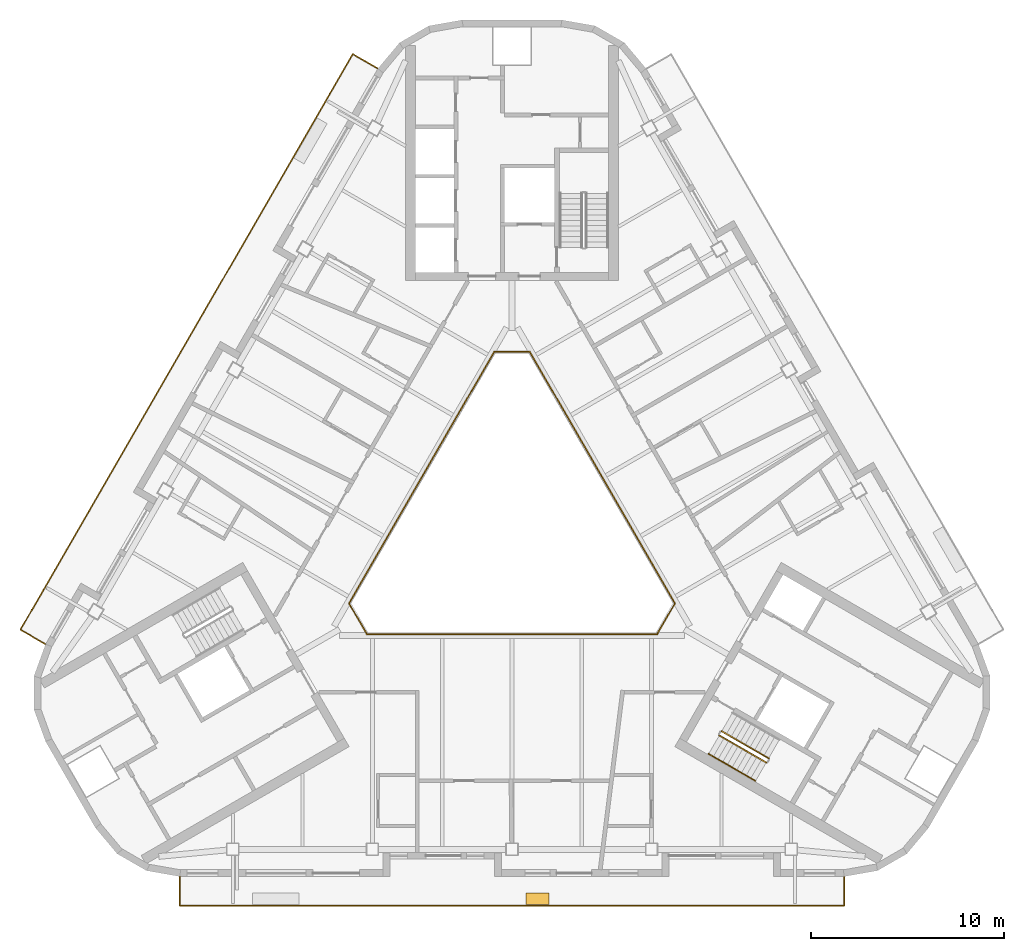
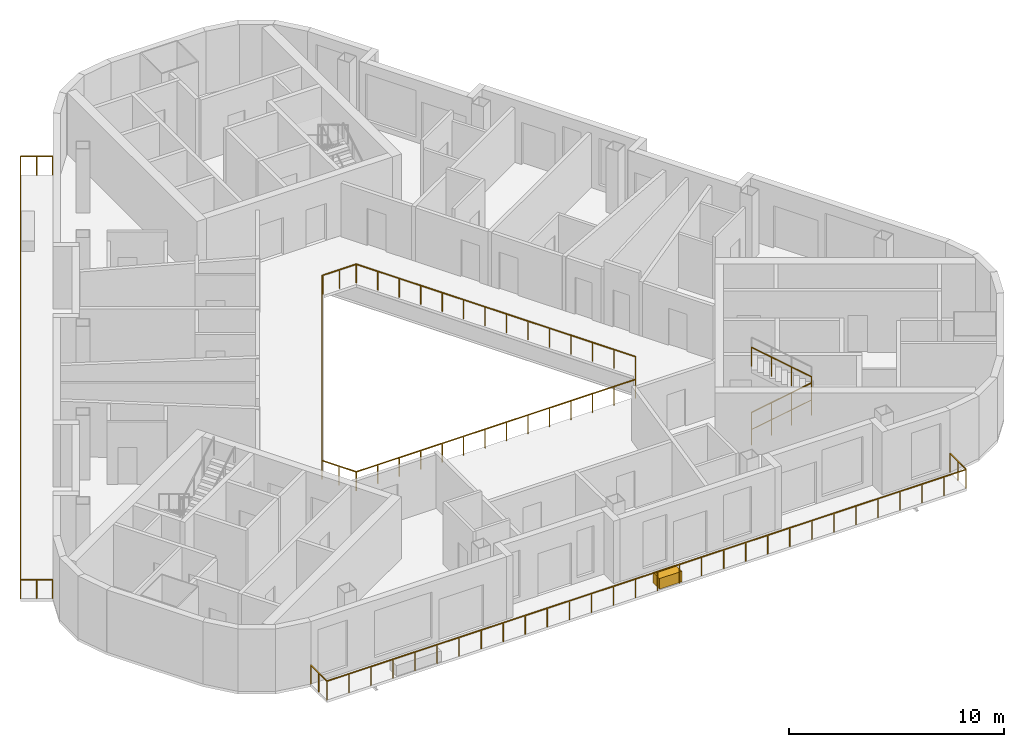
# One storey, part 10 of 13: 7 railings, 1 covering.
"""IFC4 building model written with IfcOpenShell, lengths in metres."""

from ifc_helpers import new_model, si_unit, direction, frame, origin, origin_2d, place, context, subcontext, project, spatial, rectangle, circle, extrude, material, type_object, element, save


model = new_model("IFC4")

# Units and contexts
model_context = context("Model", 3, precision=1e-05, world=origin(), true_north=direction((0.0, 1.0)))
body_context = subcontext(model_context, "Body", "Model", "MODEL_VIEW")
ifc_project = project(units=[si_unit("LENGTHUNIT", "METRE"), si_unit("AREAUNIT", "SQUARE_METRE"), si_unit("VOLUMEUNIT", "CUBIC_METRE"), si_unit("PLANEANGLEUNIT", "RADIAN"), si_unit("MASSUNIT", "GRAM", prefix="KILO")], contexts=[model_context])

# Site, building, storey
site_placement = place(None, origin())
site = spatial("IfcSite", under=ifc_project, at=site_placement, CompositionType="ELEMENT")
building_placement = place(site_placement, origin())
building = spatial("IfcBuilding", under=site, at=building_placement, Name="Apuvela Tower Hotel", CompositionType="ELEMENT")
storey_placement = place(building_placement, frame((0.0, 0.0, 283.699951171875)))
storey = spatial("IfcBuildingStorey", under=building, at=storey_placement, Name="L70", CompositionType="ELEMENT", Elevation=283.699951171875)

# Railings
ifc_material_1 = material(Name="Steel S275 balustrade", Category="steel")
railing_type_1 = type_object("IfcRailingType", Name="COR-GUARD-1100", PredefinedType="GUARDRAIL", material=ifc_material_1)
railing_1_placement = place(storey_placement, frame((10.718994140625, -10.63427734375, 0.168212890625)))
element("IfcRailing", 1, at=railing_1_placement, inside=storey, type_object=railing_type_1, Name="L70 ST3 stair guard 1", PredefinedType="GUARDRAIL", context=body_context, shape_type="SweptSolid", body=[
    extrude(rectangle(XDim=0.048095703125, YDim=0.048095703125, at=origin_2d()), frame((0.0, 0.0, 1.076171875), z_axis=(0.742390482028, -0.42860119049, 0.514934356695), x_axis=(0.49998411664, 0.866034573852, 0.0)), (0.0, 0.0, 1.0), 3.26611328125),
    extrude(rectangle(XDim=0.0419921875, YDim=0.0419921875, at=origin_2d()), origin(), (0.0, 0.0, 1.0), 1.052001953125),
    extrude(rectangle(XDim=0.0419921875, YDim=0.0419921875, at=origin_2d()), frame((0.808349609375, -0.466552734375, 0.560546875)), (0.0, 0.0, 1.0), 1.052001953125),
    extrude(rectangle(XDim=0.0419921875, YDim=0.0419921875, at=origin_2d()), frame((1.616455078125, -0.933349609375, 1.121337890625)), (0.0, 0.0, 1.0), 1.052001953125),
    extrude(rectangle(XDim=0.0419921875, YDim=0.0419921875, at=origin_2d()), frame((2.4248046875, -1.39990234375, 1.681884765625)), (0.0, 0.0, 1.0), 1.052001953125),
])
railing_2_placement = place(storey_placement, frame((13.268798828125, -11.817626953125, 2.018310546875)))
element("IfcRailing", 2, at=railing_2_placement, inside=storey, type_object=railing_type_1, Name="L70 ST3 stair guard 3", PredefinedType="GUARDRAIL", context=body_context, shape_type="SweptSolid", body=[
    extrude(rectangle(XDim=0.048095703125, YDim=0.048095703125, at=origin_2d()), frame((0.0, 0.0, 1.076171875), z_axis=(-0.74241905619, 0.428617687091, 0.514879426), x_axis=(-0.49998411664, -0.866034573852, 0.0)), (0.0, 0.0, 1.0), 3.26611328125),
    extrude(rectangle(XDim=0.0419921875, YDim=0.0419921875, at=origin_2d()), origin(), (0.0, 0.0, 1.0), 1.052001953125),
    extrude(rectangle(XDim=0.0419921875, YDim=0.0419921875, at=origin_2d()), frame((-0.808349609375, 0.466552734375, 0.560546875)), (0.0, 0.0, 1.0), 1.052001953125),
    extrude(rectangle(XDim=0.0419921875, YDim=0.0419921875, at=origin_2d()), frame((-1.616455078125, 0.933349609375, 1.12109375)), (0.0, 0.0, 1.0), 1.052001953125),
    extrude(rectangle(XDim=0.0419921875, YDim=0.0419921875, at=origin_2d()), frame((-2.4248046875, 1.39990234375, 1.681640625)), (0.0, 0.0, 1.0), 1.052001953125),
])
ifc_material_2 = material(Name="Stainless steel 316 handrail", Category="steel")
railing_type_2 = type_object("IfcRailingType", Name="COR-HANDRAIL-900", PredefinedType="HANDRAIL", material=ifc_material_2)
railing_3_placement = place(storey_placement, frame((10.1689453125, -11.5869140625, 0.168212890625)))
element("IfcRailing", 3, at=railing_3_placement, inside=storey, type_object=railing_type_2, Name="L70 ST3 stair handrail 1", PredefinedType="HANDRAIL", context=body_context, shape_type="SweptSolid", body=[
    extrude(circle(Radius=0.02392578125, at=origin_2d()), frame((0.0, 0.0, 0.8759765625), z_axis=(0.742390482028, -0.42860119049, 0.514934356695), x_axis=(0.49998411664, 0.866034573852, 0.0)), (0.0, 0.0, 1.0), 3.26611328125),
    extrude(rectangle(XDim=0.0419921875, YDim=0.0419921875, at=origin_2d()), origin(), (0.0, 0.0, 1.0), 0.851806640625),
    extrude(rectangle(XDim=0.0419921875, YDim=0.0419921875, at=origin_2d()), frame((0.808349609375, -0.466552734375, 0.560546875)), (0.0, 0.0, 1.0), 0.851806640625),
    extrude(rectangle(XDim=0.0419921875, YDim=0.0419921875, at=origin_2d()), frame((1.616455078125, -0.933349609375, 1.121337890625)), (0.0, 0.0, 1.0), 0.851806640625),
    extrude(rectangle(XDim=0.0419921875, YDim=0.0419921875, at=origin_2d()), frame((2.4248046875, -1.39990234375, 1.681884765625)), (0.0, 0.0, 1.0), 0.851806640625),
])
ifc_material_3 = material(Name="Stainless steel 316 rail with laminated glass infill", Category="steel")
railing_type_3 = type_object("IfcRailingType", Name="ENV-GUARD-1100", PredefinedType="GUARDRAIL", material=ifc_material_3)
railing_4_placement = place(storey_placement, frame((-17.18505859375, -17.9287109375, 0.0)))
element("IfcRailing", 4, at=railing_4_placement, inside=storey, type_object=railing_type_3, Name="Balcony guard S L70", PredefinedType="GUARDRAIL", context=body_context, shape_type="SweptSolid", body=[
    extrude(rectangle(XDim=0.050048828125, YDim=0.050048828125, at=origin_2d()), frame((0.0, 0.0, 1.0751953125), z_axis=(0.0, -1.0, 0.0), x_axis=(1.0, 0.0, 0.0)), (0.0, 0.0, 1.0), 1.5),
    extrude(rectangle(XDim=0.050048828125, YDim=0.050048828125, at=origin_2d()), frame((0.0, -1.5, 1.0751953125), z_axis=(1.0, 0.0, 0.0), x_axis=(0.0, 1.0, 0.0)), (0.0, 0.0, 1.0), 34.3701171875),
    extrude(rectangle(XDim=0.050048828125, YDim=0.050048828125, at=origin_2d()), frame((34.3701171875, -1.5, 1.0751953125), z_axis=(0.0, 1.0, 0.0), x_axis=(-1.0, 0.0, 0.0)), (0.0, 0.0, 1.0), 1.5),
    extrude(rectangle(XDim=0.0400390625, YDim=0.0400390625, at=origin_2d()), origin(), (0.0, 0.0, 1.0), 1.050048828125),
    extrude(rectangle(XDim=0.0400390625, YDim=0.0400390625, at=origin_2d()), frame((0.0, -0.75, 0.0)), (0.0, 0.0, 1.0), 1.050048828125),
    extrude(rectangle(XDim=0.0400390625, YDim=0.0400390625, at=origin_2d()), frame((0.0, -1.5, 0.0)), (0.0, 0.0, 1.0), 1.050048828125),
    extrude(rectangle(XDim=0.0400390625, YDim=0.0400390625, at=origin_2d()), frame((1.18505859375, -1.5, 0.0)), (0.0, 0.0, 1.0), 1.050048828125),
    extrude(rectangle(XDim=0.0400390625, YDim=0.0400390625, at=origin_2d()), frame((2.370361328125, -1.5, 0.0)), (0.0, 0.0, 1.0), 1.050048828125),
    extrude(rectangle(XDim=0.0400390625, YDim=0.0400390625, at=origin_2d()), frame((3.555419921875, -1.5, 0.0)), (0.0, 0.0, 1.0), 1.050048828125),
    extrude(rectangle(XDim=0.0400390625, YDim=0.0400390625, at=origin_2d()), frame((4.74072265625, -1.5, 0.0)), (0.0, 0.0, 1.0), 1.050048828125),
    extrude(rectangle(XDim=0.0400390625, YDim=0.0400390625, at=origin_2d()), frame((5.92578125, -1.5, 0.0)), (0.0, 0.0, 1.0), 1.050048828125),
    extrude(rectangle(XDim=0.0400390625, YDim=0.0400390625, at=origin_2d()), frame((7.111083984375, -1.5, 0.0)), (0.0, 0.0, 1.0), 1.050048828125),
    extrude(rectangle(XDim=0.0400390625, YDim=0.0400390625, at=origin_2d()), frame((8.296142578125, -1.5, 0.0)), (0.0, 0.0, 1.0), 1.050048828125),
    extrude(rectangle(XDim=0.0400390625, YDim=0.0400390625, at=origin_2d()), frame((9.4814453125, -1.5, 0.0)), (0.0, 0.0, 1.0), 1.050048828125),
    extrude(rectangle(XDim=0.0400390625, YDim=0.0400390625, at=origin_2d()), frame((10.66650390625, -1.5, 0.0)), (0.0, 0.0, 1.0), 1.050048828125),
    extrude(rectangle(XDim=0.0400390625, YDim=0.0400390625, at=origin_2d()), frame((11.851806640625, -1.5, 0.0)), (0.0, 0.0, 1.0), 1.050048828125),
    extrude(rectangle(XDim=0.0400390625, YDim=0.0400390625, at=origin_2d()), frame((13.036865234375, -1.5, 0.0)), (0.0, 0.0, 1.0), 1.050048828125),
    extrude(rectangle(XDim=0.0400390625, YDim=0.0400390625, at=origin_2d()), frame((14.22216796875, -1.5, 0.0)), (0.0, 0.0, 1.0), 1.050048828125),
    extrude(rectangle(XDim=0.0400390625, YDim=0.0400390625, at=origin_2d()), frame((15.4072265625, -1.5, 0.0)), (0.0, 0.0, 1.0), 1.050048828125),
    extrude(rectangle(XDim=0.0400390625, YDim=0.0400390625, at=origin_2d()), frame((16.592529296875, -1.5, 0.0)), (0.0, 0.0, 1.0), 1.050048828125),
    extrude(rectangle(XDim=0.0400390625, YDim=0.0400390625, at=origin_2d()), frame((17.777587890625, -1.5, 0.0)), (0.0, 0.0, 1.0), 1.050048828125),
    extrude(rectangle(XDim=0.0400390625, YDim=0.0400390625, at=origin_2d()), frame((18.962890625, -1.5, 0.0)), (0.0, 0.0, 1.0), 1.050048828125),
    extrude(rectangle(XDim=0.0400390625, YDim=0.0400390625, at=origin_2d()), frame((20.14794921875, -1.5, 0.0)), (0.0, 0.0, 1.0), 1.050048828125),
    extrude(rectangle(XDim=0.0400390625, YDim=0.0400390625, at=origin_2d()), frame((21.333251953125, -1.5, 0.0)), (0.0, 0.0, 1.0), 1.050048828125),
    extrude(rectangle(XDim=0.0400390625, YDim=0.0400390625, at=origin_2d()), frame((22.518310546875, -1.5, 0.0)), (0.0, 0.0, 1.0), 1.050048828125),
    extrude(rectangle(XDim=0.0400390625, YDim=0.0400390625, at=origin_2d()), frame((23.70361328125, -1.5, 0.0)), (0.0, 0.0, 1.0), 1.050048828125),
    extrude(rectangle(XDim=0.0400390625, YDim=0.0400390625, at=origin_2d()), frame((24.888671875, -1.5, 0.0)), (0.0, 0.0, 1.0), 1.050048828125),
    extrude(rectangle(XDim=0.0400390625, YDim=0.0400390625, at=origin_2d()), frame((26.073974609375, -1.5, 0.0)), (0.0, 0.0, 1.0), 1.050048828125),
    extrude(rectangle(XDim=0.0400390625, YDim=0.0400390625, at=origin_2d()), frame((27.259033203125, -1.5, 0.0)), (0.0, 0.0, 1.0), 1.050048828125),
    extrude(rectangle(XDim=0.0400390625, YDim=0.0400390625, at=origin_2d()), frame((28.4443359375, -1.5, 0.0)), (0.0, 0.0, 1.0), 1.050048828125),
    extrude(rectangle(XDim=0.0400390625, YDim=0.0400390625, at=origin_2d()), frame((29.62939453125, -1.5, 0.0)), (0.0, 0.0, 1.0), 1.050048828125),
    extrude(rectangle(XDim=0.0400390625, YDim=0.0400390625, at=origin_2d()), frame((30.814697265625, -1.5, 0.0)), (0.0, 0.0, 1.0), 1.050048828125),
    extrude(rectangle(XDim=0.0400390625, YDim=0.0400390625, at=origin_2d()), frame((31.999755859375, -1.5, 0.0)), (0.0, 0.0, 1.0), 1.050048828125),
    extrude(rectangle(XDim=0.0400390625, YDim=0.0400390625, at=origin_2d()), frame((33.18505859375, -1.5, 0.0)), (0.0, 0.0, 1.0), 1.050048828125),
    extrude(rectangle(XDim=0.0400390625, YDim=0.0400390625, at=origin_2d()), frame((34.3701171875, -1.5, 0.0)), (0.0, 0.0, 1.0), 1.050048828125),
    extrude(rectangle(XDim=0.0400390625, YDim=0.0400390625, at=origin_2d()), frame((34.3701171875, -0.75, 0.0)), (0.0, 0.0, 1.0), 1.050048828125),
    extrude(rectangle(XDim=0.0400390625, YDim=0.0400390625, at=origin_2d()), frame((34.3701171875, 0.0, 0.0)), (0.0, 0.0, 1.0), 1.050048828125),
])
railing_5_placement = place(storey_placement, frame((-6.93408203125, 23.84716796875, 0.0)))
element("IfcRailing", 5, at=railing_5_placement, inside=storey, type_object=railing_type_3, Name="Balcony guard NW L70", PredefinedType="GUARDRAIL", context=body_context, shape_type="SweptSolid", body=[
    extrude(rectangle(XDim=0.050048828125, YDim=0.050048828125, at=origin_2d()), frame((0.0, 0.0, 1.0751953125), z_axis=(-0.866031096941, 0.499990139034, 0.0), x_axis=(-0.499990139034, -0.866031096941, 0.0)), (0.0, 0.0, 1.0), 1.5),
    extrude(rectangle(XDim=0.050048828125, YDim=0.050048828125, at=origin_2d()), frame((-1.299072265625, 0.75, 1.0751953125), z_axis=(-0.499997097509, -0.866027079532, 0.0), x_axis=(0.866027079532, -0.499997097509, 0.0)), (0.0, 0.0, 1.0), 34.370361328125),
    extrude(rectangle(XDim=0.050048828125, YDim=0.050048828125, at=origin_2d()), frame((-18.484130859375, -29.015625, 1.0751953125), z_axis=(0.86599040064, -0.500060622324, 0.0), x_axis=(0.500060622324, 0.86599040064, 0.0)), (0.0, 0.0, 1.0), 1.499755859375),
    extrude(rectangle(XDim=0.0400390625, YDim=0.0400390625, at=origin_2d()), origin(), (0.0, 0.0, 1.0), 1.050048828125),
    extrude(rectangle(XDim=0.0400390625, YDim=0.0400390625, at=origin_2d()), frame((-0.6494140625, 0.375, 0.0)), (0.0, 0.0, 1.0), 1.050048828125),
    extrude(rectangle(XDim=0.0400390625, YDim=0.0400390625, at=origin_2d()), frame((-1.299072265625, 0.75, 0.0)), (0.0, 0.0, 1.0), 1.050048828125),
    extrude(rectangle(XDim=0.0400390625, YDim=0.0400390625, at=origin_2d()), frame((-1.8916015625, -0.2763671875, 0.0)), (0.0, 0.0, 1.0), 1.050048828125),
    extrude(rectangle(XDim=0.0400390625, YDim=0.0400390625, at=origin_2d()), frame((-2.484130859375, -1.302734375, 0.0)), (0.0, 0.0, 1.0), 1.050048828125),
    extrude(rectangle(XDim=0.0400390625, YDim=0.0400390625, at=origin_2d()), frame((-3.076904296875, -2.3291015625, 0.0)), (0.0, 0.0, 1.0), 1.050048828125),
    extrude(rectangle(XDim=0.0400390625, YDim=0.0400390625, at=origin_2d()), frame((-3.66943359375, -3.355712890625, 0.0)), (0.0, 0.0, 1.0), 1.050048828125),
    extrude(rectangle(XDim=0.0400390625, YDim=0.0400390625, at=origin_2d()), frame((-4.261962890625, -4.382080078125, 0.0)), (0.0, 0.0, 1.0), 1.050048828125),
    extrude(rectangle(XDim=0.0400390625, YDim=0.0400390625, at=origin_2d()), frame((-4.8544921875, -5.408447265625, 0.0)), (0.0, 0.0, 1.0), 1.050048828125),
    extrude(rectangle(XDim=0.0400390625, YDim=0.0400390625, at=origin_2d()), frame((-5.447265625, -6.434814453125, 0.0)), (0.0, 0.0, 1.0), 1.050048828125),
    extrude(rectangle(XDim=0.0400390625, YDim=0.0400390625, at=origin_2d()), frame((-6.039794921875, -7.461181640625, 0.0)), (0.0, 0.0, 1.0), 1.050048828125),
    extrude(rectangle(XDim=0.0400390625, YDim=0.0400390625, at=origin_2d()), frame((-6.63232421875, -8.487548828125, 0.0)), (0.0, 0.0, 1.0), 1.050048828125),
    extrude(rectangle(XDim=0.0400390625, YDim=0.0400390625, at=origin_2d()), frame((-7.224853515625, -9.513916015625, 0.0)), (0.0, 0.0, 1.0), 1.050048828125),
    extrude(rectangle(XDim=0.0400390625, YDim=0.0400390625, at=origin_2d()), frame((-7.817626953125, -10.54052734375, 0.0)), (0.0, 0.0, 1.0), 1.050048828125),
    extrude(rectangle(XDim=0.0400390625, YDim=0.0400390625, at=origin_2d()), frame((-8.41015625, -11.56689453125, 0.0)), (0.0, 0.0, 1.0), 1.050048828125),
    extrude(rectangle(XDim=0.0400390625, YDim=0.0400390625, at=origin_2d()), frame((-9.002685546875, -12.59326171875, 0.0)), (0.0, 0.0, 1.0), 1.050048828125),
    extrude(rectangle(XDim=0.0400390625, YDim=0.0400390625, at=origin_2d()), frame((-9.59521484375, -13.61962890625, 0.0)), (0.0, 0.0, 1.0), 1.050048828125),
    extrude(rectangle(XDim=0.0400390625, YDim=0.0400390625, at=origin_2d()), frame((-10.18798828125, -14.64599609375, 0.0)), (0.0, 0.0, 1.0), 1.050048828125),
    extrude(rectangle(XDim=0.0400390625, YDim=0.0400390625, at=origin_2d()), frame((-10.780517578125, -15.67236328125, 0.0)), (0.0, 0.0, 1.0), 1.050048828125),
    extrude(rectangle(XDim=0.0400390625, YDim=0.0400390625, at=origin_2d()), frame((-11.373046875, -16.69873046875, 0.0)), (0.0, 0.0, 1.0), 1.050048828125),
    extrude(rectangle(XDim=0.0400390625, YDim=0.0400390625, at=origin_2d()), frame((-11.965576171875, -17.72509765625, 0.0)), (0.0, 0.0, 1.0), 1.050048828125),
    extrude(rectangle(XDim=0.0400390625, YDim=0.0400390625, at=origin_2d()), frame((-12.558349609375, -18.751708984375, 0.0)), (0.0, 0.0, 1.0), 1.050048828125),
    extrude(rectangle(XDim=0.0400390625, YDim=0.0400390625, at=origin_2d()), frame((-13.15087890625, -19.778076171875, 0.0)), (0.0, 0.0, 1.0), 1.050048828125),
    extrude(rectangle(XDim=0.0400390625, YDim=0.0400390625, at=origin_2d()), frame((-13.743408203125, -20.804443359375, 0.0)), (0.0, 0.0, 1.0), 1.050048828125),
    extrude(rectangle(XDim=0.0400390625, YDim=0.0400390625, at=origin_2d()), frame((-14.3359375, -21.830810546875, 0.0)), (0.0, 0.0, 1.0), 1.050048828125),
    extrude(rectangle(XDim=0.0400390625, YDim=0.0400390625, at=origin_2d()), frame((-14.9287109375, -22.857177734375, 0.0)), (0.0, 0.0, 1.0), 1.050048828125),
    extrude(rectangle(XDim=0.0400390625, YDim=0.0400390625, at=origin_2d()), frame((-15.521240234375, -23.883544921875, 0.0)), (0.0, 0.0, 1.0), 1.050048828125),
    extrude(rectangle(XDim=0.0400390625, YDim=0.0400390625, at=origin_2d()), frame((-16.11376953125, -24.909912109375, 0.0)), (0.0, 0.0, 1.0), 1.050048828125),
    extrude(rectangle(XDim=0.0400390625, YDim=0.0400390625, at=origin_2d()), frame((-16.706298828125, -25.9365234375, 0.0)), (0.0, 0.0, 1.0), 1.050048828125),
    extrude(rectangle(XDim=0.0400390625, YDim=0.0400390625, at=origin_2d()), frame((-17.299072265625, -26.962890625, 0.0)), (0.0, 0.0, 1.0), 1.050048828125),
    extrude(rectangle(XDim=0.0400390625, YDim=0.0400390625, at=origin_2d()), frame((-17.8916015625, -27.9892578125, 0.0)), (0.0, 0.0, 1.0), 1.050048828125),
    extrude(rectangle(XDim=0.0400390625, YDim=0.0400390625, at=origin_2d()), frame((-18.484130859375, -29.015625, 0.0)), (0.0, 0.0, 1.0), 1.050048828125),
    extrude(rectangle(XDim=0.0400390625, YDim=0.0400390625, at=origin_2d()), frame((-17.834716796875, -29.390625, 0.0)), (0.0, 0.0, 1.0), 1.050048828125),
    extrude(rectangle(XDim=0.0400390625, YDim=0.0400390625, at=origin_2d()), frame((-17.185302734375, -29.765625, 0.0)), (0.0, 0.0, 1.0), 1.050048828125),
])
railing_6_placement = place(storey_placement, frame((-0.923828125, 9.199951171875, 0.0)))
element("IfcRailing", 6, at=railing_6_placement, inside=storey, type_object=railing_type_3, Name="Atrium void guard A L70", PredefinedType="GUARDRAIL", context=body_context, shape_type="SweptSolid", body=[
    extrude(rectangle(XDim=0.050048828125, YDim=0.050048828125, at=origin_2d()), frame((0.0, 0.0, 1.0751953125), z_axis=(-0.499990886379, -0.866030665472, 0.0), x_axis=(0.866030665472, -0.499990886379, 0.0)), (0.0, 0.0, 1.0), 15.010986328125),
    extrude(rectangle(XDim=0.050048828125, YDim=0.050048828125, at=origin_2d()), frame((-7.50537109375, -13.0, 1.0751953125), z_axis=(0.499962699187, -0.866046938348, 0.0), x_axis=(0.866046938348, 0.499962699187, 0.0)), (0.0, 0.0, 1.0), 1.847412109375),
    extrude(rectangle(XDim=0.050048828125, YDim=0.050048828125, at=origin_2d()), frame((-6.581787109375, -14.599853515625, 1.0751953125), z_axis=(1.0, 0.0, 0.0), x_axis=(0.0, 1.0, 0.0)), (0.0, 0.0, 1.0), 15.01123046875),
    extrude(rectangle(XDim=0.0400390625, YDim=0.0400390625, at=origin_2d()), origin(), (0.0, 0.0, 1.0), 1.050048828125),
    extrude(rectangle(XDim=0.0400390625, YDim=0.0400390625, at=origin_2d()), frame((-0.577392578125, -1.0, 0.0)), (0.0, 0.0, 1.0), 1.050048828125),
    extrude(rectangle(XDim=0.0400390625, YDim=0.0400390625, at=origin_2d()), frame((-1.15478515625, -2.0, 0.0)), (0.0, 0.0, 1.0), 1.050048828125),
    extrude(rectangle(XDim=0.0400390625, YDim=0.0400390625, at=origin_2d()), frame((-1.73193359375, -3.0, 0.0)), (0.0, 0.0, 1.0), 1.050048828125),
    extrude(rectangle(XDim=0.0400390625, YDim=0.0400390625, at=origin_2d()), frame((-2.309326171875, -4.0, 0.0)), (0.0, 0.0, 1.0), 1.050048828125),
    extrude(rectangle(XDim=0.0400390625, YDim=0.0400390625, at=origin_2d()), frame((-2.88671875, -5.0, 0.0)), (0.0, 0.0, 1.0), 1.050048828125),
    extrude(rectangle(XDim=0.0400390625, YDim=0.0400390625, at=origin_2d()), frame((-3.464111328125, -6.0, 0.0)), (0.0, 0.0, 1.0), 1.050048828125),
    extrude(rectangle(XDim=0.0400390625, YDim=0.0400390625, at=origin_2d()), frame((-4.041259765625, -7.0, 0.0)), (0.0, 0.0, 1.0), 1.050048828125),
    extrude(rectangle(XDim=0.0400390625, YDim=0.0400390625, at=origin_2d()), frame((-4.61865234375, -8.0, 0.0)), (0.0, 0.0, 1.0), 1.050048828125),
    extrude(rectangle(XDim=0.0400390625, YDim=0.0400390625, at=origin_2d()), frame((-5.196044921875, -9.0, 0.0)), (0.0, 0.0, 1.0), 1.050048828125),
    extrude(rectangle(XDim=0.0400390625, YDim=0.0400390625, at=origin_2d()), frame((-5.7734375, -10.0, 0.0)), (0.0, 0.0, 1.0), 1.050048828125),
    extrude(rectangle(XDim=0.0400390625, YDim=0.0400390625, at=origin_2d()), frame((-6.3505859375, -11.0, 0.0)), (0.0, 0.0, 1.0), 1.050048828125),
    extrude(rectangle(XDim=0.0400390625, YDim=0.0400390625, at=origin_2d()), frame((-6.927978515625, -12.0, 0.0)), (0.0, 0.0, 1.0), 1.050048828125),
    extrude(rectangle(XDim=0.0400390625, YDim=0.0400390625, at=origin_2d()), frame((-7.50537109375, -13.0, 0.0)), (0.0, 0.0, 1.0), 1.050048828125),
    extrude(rectangle(XDim=0.0400390625, YDim=0.0400390625, at=origin_2d()), frame((-7.04345703125, -13.7998046875, 0.0)), (0.0, 0.0, 1.0), 1.050048828125),
    extrude(rectangle(XDim=0.0400390625, YDim=0.0400390625, at=origin_2d()), frame((-6.581787109375, -14.599853515625, 0.0)), (0.0, 0.0, 1.0), 1.050048828125),
    extrude(rectangle(XDim=0.0400390625, YDim=0.0400390625, at=origin_2d()), frame((-5.427001953125, -14.599853515625, 0.0)), (0.0, 0.0, 1.0), 1.050048828125),
    extrude(rectangle(XDim=0.0400390625, YDim=0.0400390625, at=origin_2d()), frame((-4.2724609375, -14.599853515625, 0.0)), (0.0, 0.0, 1.0), 1.050048828125),
    extrude(rectangle(XDim=0.0400390625, YDim=0.0400390625, at=origin_2d()), frame((-3.11767578125, -14.599853515625, 0.0)), (0.0, 0.0, 1.0), 1.050048828125),
    extrude(rectangle(XDim=0.0400390625, YDim=0.0400390625, at=origin_2d()), frame((-1.962890625, -14.599853515625, 0.0)), (0.0, 0.0, 1.0), 1.050048828125),
    extrude(rectangle(XDim=0.0400390625, YDim=0.0400390625, at=origin_2d()), frame((-0.808349609375, -14.599853515625, 0.0)), (0.0, 0.0, 1.0), 1.050048828125),
    extrude(rectangle(XDim=0.0400390625, YDim=0.0400390625, at=origin_2d()), frame((0.346435546875, -14.599853515625, 0.0)), (0.0, 0.0, 1.0), 1.050048828125),
    extrude(rectangle(XDim=0.0400390625, YDim=0.0400390625, at=origin_2d()), frame((1.501220703125, -14.599853515625, 0.0)), (0.0, 0.0, 1.0), 1.050048828125),
    extrude(rectangle(XDim=0.0400390625, YDim=0.0400390625, at=origin_2d()), frame((2.656005859375, -14.599853515625, 0.0)), (0.0, 0.0, 1.0), 1.050048828125),
    extrude(rectangle(XDim=0.0400390625, YDim=0.0400390625, at=origin_2d()), frame((3.810546875, -14.599853515625, 0.0)), (0.0, 0.0, 1.0), 1.050048828125),
    extrude(rectangle(XDim=0.0400390625, YDim=0.0400390625, at=origin_2d()), frame((4.96533203125, -14.599853515625, 0.0)), (0.0, 0.0, 1.0), 1.050048828125),
    extrude(rectangle(XDim=0.0400390625, YDim=0.0400390625, at=origin_2d()), frame((6.1201171875, -14.599853515625, 0.0)), (0.0, 0.0, 1.0), 1.050048828125),
    extrude(rectangle(XDim=0.0400390625, YDim=0.0400390625, at=origin_2d()), frame((7.274658203125, -14.599853515625, 0.0)), (0.0, 0.0, 1.0), 1.050048828125),
    extrude(rectangle(XDim=0.0400390625, YDim=0.0400390625, at=origin_2d()), frame((8.429443359375, -14.599853515625, 0.0)), (0.0, 0.0, 1.0), 1.050048828125),
])
railing_7_placement = place(storey_placement, frame((7.53564453125, -5.347900390625, 0.0)))
element("IfcRailing", 7, at=railing_7_placement, inside=storey, type_object=railing_type_3, Name="Atrium void guard B L70", PredefinedType="GUARDRAIL", context=body_context, shape_type="SweptSolid", body=[
    extrude(rectangle(XDim=0.050048828125, YDim=0.050048828125, at=origin_2d()), frame((0.0, 0.0, 1.0751953125), z_axis=(0.499958946799, 0.866049104564, 0.0), x_axis=(-0.866049104564, 0.499958946799, 0.0)), (0.0, 0.0, 1.0), 1.787353515625),
    extrude(rectangle(XDim=0.050048828125, YDim=0.050048828125, at=origin_2d()), frame((0.8935546875, 1.5478515625, 1.0751953125), z_axis=(-0.499990886379, 0.866030665472, 0.0), x_axis=(-0.866030665472, -0.499990886379, 0.0)), (0.0, 0.0, 1.0), 15.010986328125),
    extrude(rectangle(XDim=0.050048828125, YDim=0.050048828125, at=origin_2d()), frame((-6.61181640625, 14.5478515625, 1.0751953125), z_axis=(-1.0, 0.0, 0.0), x_axis=(0.0, -1.0, 0.0)), (0.0, 0.0, 1.0), 1.78759765625),
    extrude(rectangle(XDim=0.0400390625, YDim=0.0400390625, at=origin_2d()), origin(), (0.0, 0.0, 1.0), 1.050048828125),
    extrude(rectangle(XDim=0.0400390625, YDim=0.0400390625, at=origin_2d()), frame((0.44677734375, 0.77392578125, 0.0)), (0.0, 0.0, 1.0), 1.050048828125),
    extrude(rectangle(XDim=0.0400390625, YDim=0.0400390625, at=origin_2d()), frame((0.8935546875, 1.5478515625, 0.0)), (0.0, 0.0, 1.0), 1.050048828125),
    extrude(rectangle(XDim=0.0400390625, YDim=0.0400390625, at=origin_2d()), frame((0.316162109375, 2.5478515625, 0.0)), (0.0, 0.0, 1.0), 1.050048828125),
    extrude(rectangle(XDim=0.0400390625, YDim=0.0400390625, at=origin_2d()), frame((-0.26123046875, 3.5478515625, 0.0)), (0.0, 0.0, 1.0), 1.050048828125),
    extrude(rectangle(XDim=0.0400390625, YDim=0.0400390625, at=origin_2d()), frame((-0.83837890625, 4.5478515625, 0.0)), (0.0, 0.0, 1.0), 1.050048828125),
    extrude(rectangle(XDim=0.0400390625, YDim=0.0400390625, at=origin_2d()), frame((-1.415771484375, 5.5478515625, 0.0)), (0.0, 0.0, 1.0), 1.050048828125),
    extrude(rectangle(XDim=0.0400390625, YDim=0.0400390625, at=origin_2d()), frame((-1.9931640625, 6.5478515625, 0.0)), (0.0, 0.0, 1.0), 1.050048828125),
    extrude(rectangle(XDim=0.0400390625, YDim=0.0400390625, at=origin_2d()), frame((-2.570556640625, 7.5478515625, 0.0)), (0.0, 0.0, 1.0), 1.050048828125),
    extrude(rectangle(XDim=0.0400390625, YDim=0.0400390625, at=origin_2d()), frame((-3.147705078125, 8.5478515625, 0.0)), (0.0, 0.0, 1.0), 1.050048828125),
    extrude(rectangle(XDim=0.0400390625, YDim=0.0400390625, at=origin_2d()), frame((-3.72509765625, 9.5478515625, 0.0)), (0.0, 0.0, 1.0), 1.050048828125),
    extrude(rectangle(XDim=0.0400390625, YDim=0.0400390625, at=origin_2d()), frame((-4.302490234375, 10.5478515625, 0.0)), (0.0, 0.0, 1.0), 1.050048828125),
    extrude(rectangle(XDim=0.0400390625, YDim=0.0400390625, at=origin_2d()), frame((-4.8798828125, 11.5478515625, 0.0)), (0.0, 0.0, 1.0), 1.050048828125),
    extrude(rectangle(XDim=0.0400390625, YDim=0.0400390625, at=origin_2d()), frame((-5.45703125, 12.5478515625, 0.0)), (0.0, 0.0, 1.0), 1.050048828125),
    extrude(rectangle(XDim=0.0400390625, YDim=0.0400390625, at=origin_2d()), frame((-6.034423828125, 13.5478515625, 0.0)), (0.0, 0.0, 1.0), 1.050048828125),
    extrude(rectangle(XDim=0.0400390625, YDim=0.0400390625, at=origin_2d()), frame((-6.61181640625, 14.5478515625, 0.0)), (0.0, 0.0, 1.0), 1.050048828125),
    extrude(rectangle(XDim=0.0400390625, YDim=0.0400390625, at=origin_2d()), frame((-7.505615234375, 14.5478515625, 0.0)), (0.0, 0.0, 1.0), 1.050048828125),
    extrude(rectangle(XDim=0.0400390625, YDim=0.0400390625, at=origin_2d()), frame((-8.3994140625, 14.5478515625, 0.0)), (0.0, 0.0, 1.0), 1.050048828125),
])

# Covering
ifc_material_4 = material(Name="Planting substrate and soil, planted")
covering_type = type_object("IfcCoveringType", Name="ENV-PLANTER-1200x600", PredefinedType="USERDEFINED", material=ifc_material_4)
covering_placement = place(storey_placement, frame((1.3251953125, -19.07861328125, 0.0), z_axis=(0.0, 0.0, 1.0), x_axis=(1.0, 0.0, 0.0)))
element("IfcCovering", 8, at=covering_placement, inside=storey, type_object=covering_type, Name="Planter S2", ObjectType="PLANTER", PredefinedType="USERDEFINED", context=body_context, shape_type="SweptSolid", body=[
    extrude(rectangle(XDim=1.199951171875, YDim=0.60009765625, at=origin_2d()), origin(), (0.0, 0.0, 1.0), 0.60009765625),
])

save(model, "model.ifc")
